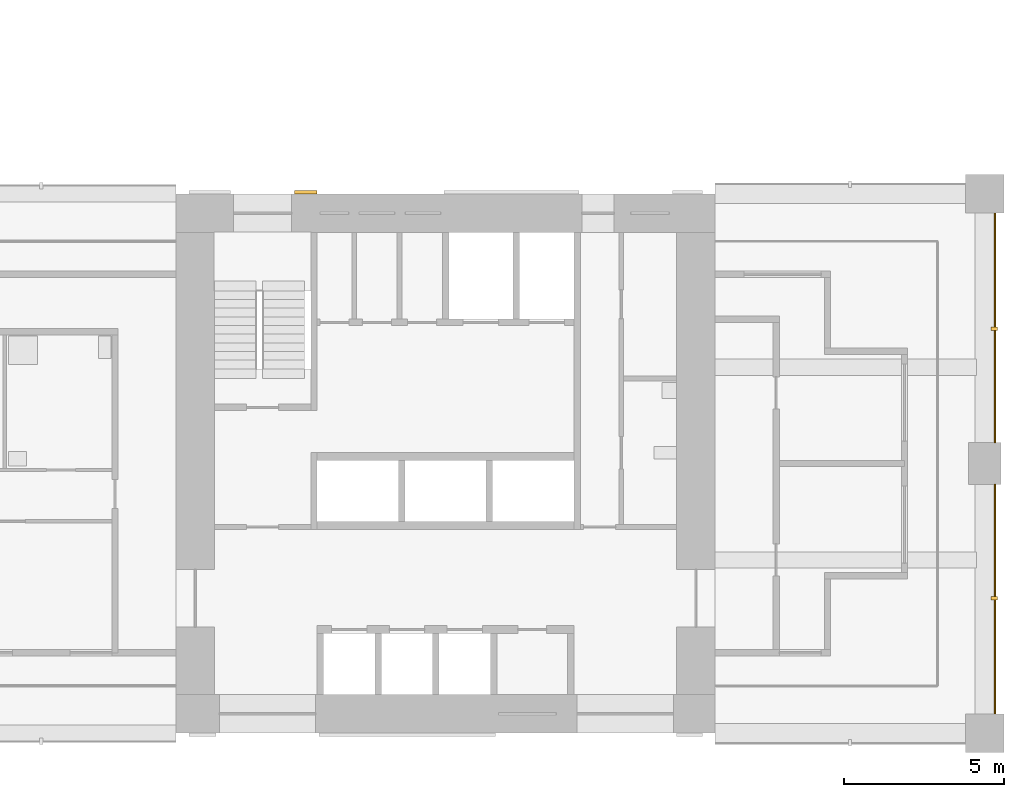
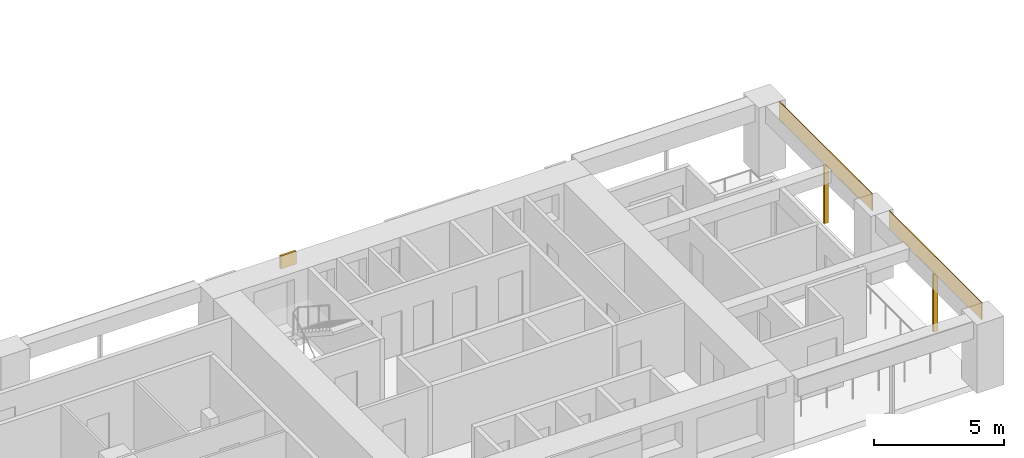
# One storey, part 15 of 17: 5 shading devices.
"""IFC4 building model written with IfcOpenShell, lengths in metres."""

from ifc_helpers import new_model, si_unit, direction, frame, origin, origin_2d, place, context, subcontext, project, spatial, rectangle, extrude, material, layer, layer_set, material_profile, profile_set, type_object, element, save


model = new_model("IFC4")

# Units and contexts
model_context = context("Model", 3, precision=1e-05, world=origin(), true_north=direction((0.0, 1.0)))
body_context = subcontext(model_context, "Body", "Model", "MODEL_VIEW")
ifc_project = project(units=[si_unit("LENGTHUNIT", "METRE"), si_unit("AREAUNIT", "SQUARE_METRE"), si_unit("VOLUMEUNIT", "CUBIC_METRE"), si_unit("PLANEANGLEUNIT", "RADIAN"), si_unit("MASSUNIT", "GRAM", prefix="KILO")], contexts=[model_context])

# Site, building, storey
site_placement = place(None, origin())
site = spatial("IfcSite", under=ifc_project, at=site_placement, CompositionType="ELEMENT")
building_placement = place(site_placement, origin())
building = spatial("IfcBuilding", under=site, at=building_placement, Name="Vermilion Gate Residences", CompositionType="ELEMENT")
storey_placement = place(building_placement, frame((0.0, 0.0, 112.699951171875)))
storey = spatial("IfcBuildingStorey", under=building, at=storey_placement, Name="L28", CompositionType="ELEMENT", Elevation=112.699951171875)

# Shading devices
ifc_material_1 = material(Name="Perforated terracotta", Category="masonry")
ifc_layer_1 = layer(ifc_material_1, 0.0400390625)
ifc_layer_set_1 = layer_set([ifc_layer_1], Name="PERFORATED TERRACOTTA SCREEN 40")
shading_device_type_1 = type_object("IfcShadingDeviceType", Name="PERFORATED TERRACOTTA SCREEN 40", PredefinedType="SHUTTER", material=ifc_layer_set_1)
for number, where, z_axis, x_axis, name in (
    (1, (67.52001953125, 12.574951171875, 2.419921875), (0.0, 0.0, 1.0), (0.0, 1.0, 0.0), "SCREEN"),
    (2, (67.52001953125, 21.02490234375, 2.419921875), (0.0, 0.0, 1.0), (0.0, 1.0, 0.0), "SCREEN"),
):
    element("IfcShadingDevice", number, at=place(storey_placement, frame(where, z_axis=z_axis, x_axis=x_axis)), inside=storey, type_object=shading_device_type_1, Name=name, PredefinedType="SHUTTER", context=body_context, shape_type="SweptSolid", body=[
        extrude(rectangle(XDim=7.14990234375, YDim=0.0400390625, at=origin_2d()), origin(), (0.0, 0.0, 1.0), 0.800048828125),
    ])
ifc_material_2 = material(Name="Extruded terracotta", Category="masonry")
ifc_material_profile = material_profile(ifc_material_2, rectangle(XDim=0.199951171875, YDim=0.10009765625, at=origin_2d()), Name="BAGUETTE 100 X 200")
ifc_profile_set = profile_set([ifc_material_profile], Name="Extruded terracotta")
shading_device_type_2 = type_object("IfcShadingDeviceType", Name="TERRACOTTA BAGUETTE 100 X 200", PredefinedType="JALOUSIE", material=ifc_profile_set)
for number, where, z_axis, x_axis, name in (
    (3, (67.5, 12.60009765625, -0.280029296875), (0.0, 0.0, 1.0), (-1.0, 0.0, 0.0), "BAGUETTE"),
    (4, (67.5, 21.0, -0.280029296875), (0.0, 0.0, 1.0), (-1.0, 0.0, 0.0), "BAGUETTE"),
):
    element("IfcShadingDevice", number, at=place(storey_placement, frame(where, z_axis=z_axis, x_axis=x_axis)), inside=storey, type_object=shading_device_type_2, Name=name, PredefinedType="JALOUSIE", context=body_context, shape_type="SweptSolid", body=[
        extrude(rectangle(XDim=0.199951171875, YDim=0.10009765625, at=origin_2d()), origin(), (0.0, 0.0, 1.0), 2.7001953125),
    ])
ifc_material_3 = material(Name="Extruded terracotta", Category="masonry")
ifc_layer_2 = layer(ifc_material_3, 0.10009765625)
ifc_layer_set_2 = layer_set([ifc_layer_2], Name="TERRACOTTA SPANDREL BAND 600 X 100")
shading_device_type_3 = type_object("IfcShadingDeviceType", Name="TERRACOTTA SPANDREL BAND 600 X 100", PredefinedType="USERDEFINED", material=ifc_layer_set_2)
shading_device_placement = place(storey_placement, frame((46.044921875, 25.25, 2.6201171875), z_axis=(0.0, 0.0, 1.0), x_axis=(1.0, 0.0, 0.0)))
element("IfcShadingDevice", 5, at=shading_device_placement, inside=storey, type_object=shading_device_type_3, Name="SPANDREL BAND", ObjectType="BAND", PredefinedType="USERDEFINED", context=body_context, shape_type="SweptSolid", body=[
    extrude(rectangle(XDim=0.68994140625, YDim=0.10009765625, at=origin_2d()), origin(), (0.0, 0.0, 1.0), 0.60009765625),
])

save(model, "model.ifc")
